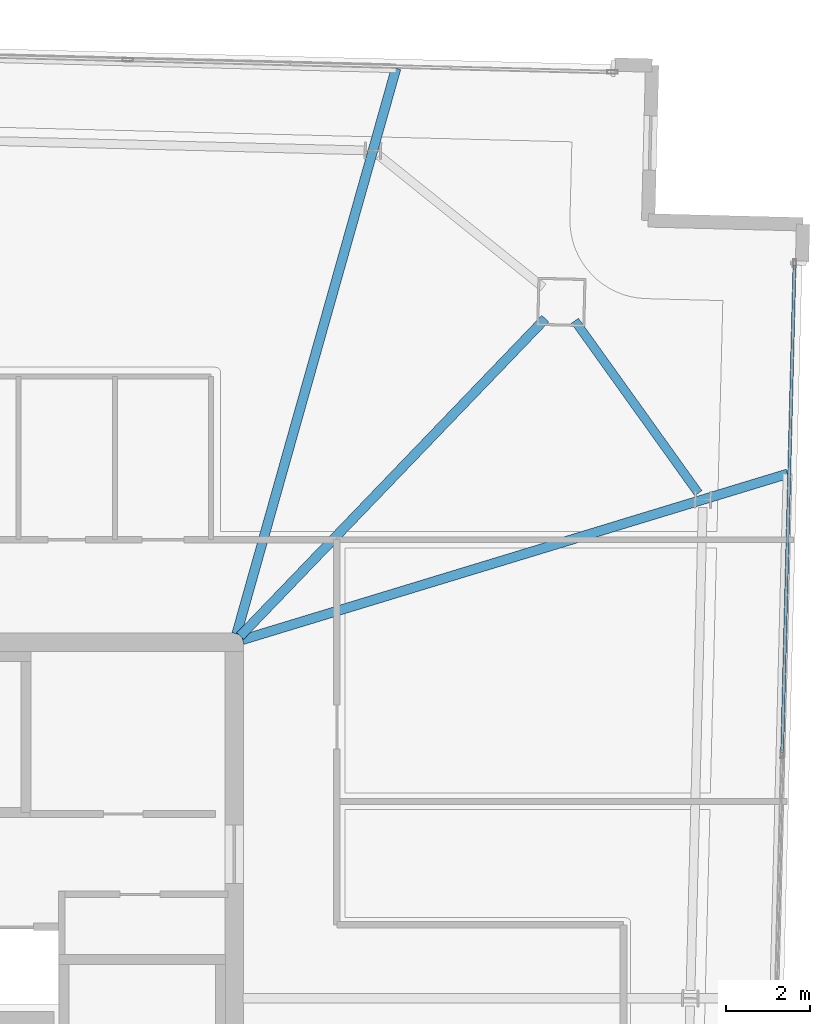
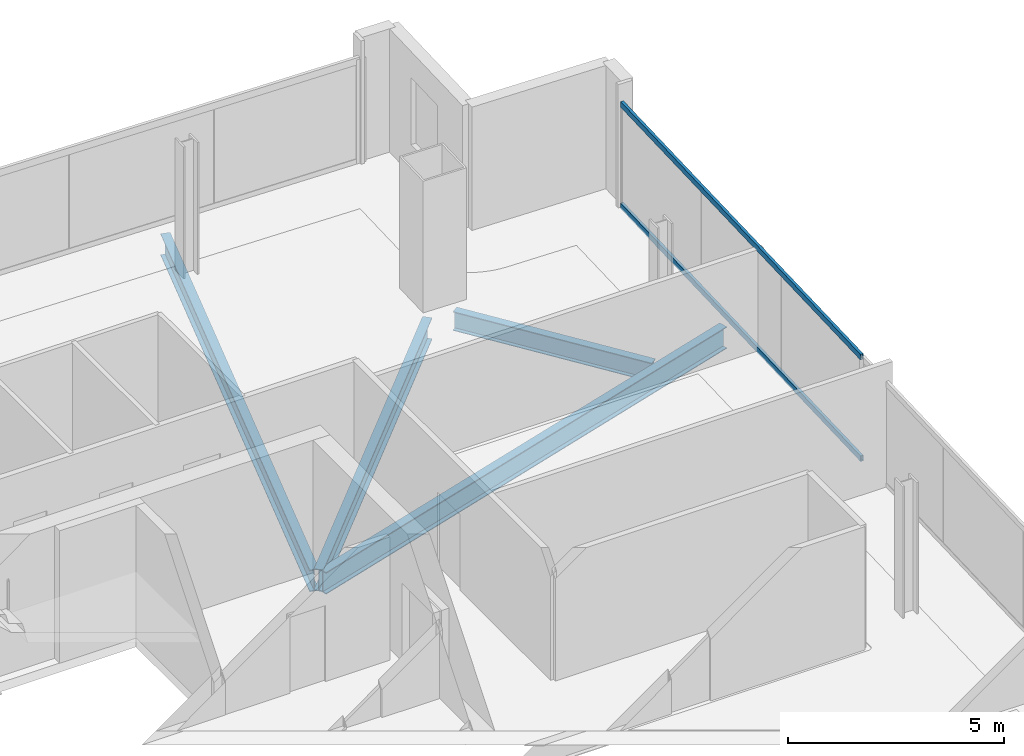
# One storey, part 16 of 25: 4 beams, 2 members, 1 element without a shape of its own.
"""IFC4 building model written with IfcOpenShell, lengths in metres."""

from ifc_helpers import new_model, si_unit, direction, frame, origin, origin_2d, place, context, subcontext, project, spatial, hollow_rectangle, i_section, extrude, material, material_profile, profile_set, type_object, element, aggregate, save


model = new_model("IFC4")

# Units and contexts
model_context = context("Model", 3, precision=1e-05, world=origin(), true_north=direction((0.0, 1.0)))
body_context = subcontext(model_context, "Body", "Model", "MODEL_VIEW")
ifc_project = project(units=[si_unit("LENGTHUNIT", "METRE"), si_unit("AREAUNIT", "SQUARE_METRE"), si_unit("VOLUMEUNIT", "CUBIC_METRE"), si_unit("PLANEANGLEUNIT", "RADIAN"), si_unit("MASSUNIT", "GRAM", prefix="KILO")], contexts=[model_context])

# Site, building, storey
site_placement = place(None, origin())
site = spatial("IfcSite", under=ifc_project, at=site_placement, CompositionType="ELEMENT")
building_placement = place(site_placement, origin())
building = spatial("IfcBuilding", under=site, at=building_placement, Name="Haldenkirk Collegiate Tower", CompositionType="ELEMENT")
storey_placement = place(building_placement, frame((0.0, 0.0, 325.199951171875)))
storey = spatial("IfcBuildingStorey", under=building, at=storey_placement, Name="L82", CompositionType="ELEMENT", Elevation=325.199951171875)

# Beams
ifc_material_1 = material(Name="Steel ASTM A992 Grade 50", Category="steel")
ifc_material_profile_1 = material_profile(ifc_material_1, i_section(OverallWidth=0.22998046875, OverallDepth=0.616943359375, WebThickness=0.01318359375, FlangeThickness=0.022216796875, at=origin_2d()), Name="W24X94")
ifc_profile_set_1 = profile_set([ifc_material_profile_1], Name="Steel ASTM A992 Grade 50")
beam_type_1 = type_object("IfcBeamType", Name="BM-GIRDER-W24X94", PredefinedType="BEAM", material=ifc_profile_set_1)
beam_1_placement = place(storey_placement, frame((52.428955078125, 41.7294921875, -0.568359375), z_axis=(-0.692944915375, -0.720990529935, 0.0), x_axis=(0.720990529935, -0.692944915375, 0.0)))
element("IfcBeam", 1, at=beam_1_placement, inside=storey, type_object=beam_type_1, Name="L82 primary floor girder 02", PredefinedType="BEAM", context=body_context, shape_type="SweptSolid", body=[
    extrude(i_section(OverallWidth=0.22998046875, OverallDepth=0.616943359375, WebThickness=0.01318359375, FlangeThickness=0.022216796875, at=origin_2d()), origin(), (0.0, 0.0, 1.0), 10.515869140625),
])
beam_2_placement = place(storey_placement, frame((58.21630859375, 38.02392578125, -0.568359375), z_axis=(-0.956644765395, -0.2912572623, 0.0), x_axis=(0.2912572623, -0.956644765395, 0.0)))
element("IfcBeam", 2, at=beam_2_placement, inside=storey, type_object=beam_type_1, Name="L82 primary floor girder 07", PredefinedType="BEAM", context=body_context, shape_type="SweptSolid", body=[
    extrude(i_section(OverallWidth=0.22998046875, OverallDepth=0.616943359375, WebThickness=0.01318359375, FlangeThickness=0.022216796875, at=origin_2d()), origin(), (0.0, 0.0, 1.0), 13.6103515625),
])
beam_3_placement = place(storey_placement, frame((48.8662109375, 47.71142578125, -0.568359375), z_axis=(-0.271385001657, -0.962470872741, 0.0), x_axis=(0.962470872741, -0.271385001657, 0.0)))
element("IfcBeam", 3, at=beam_3_placement, inside=storey, type_object=beam_type_1, Name="L82 primary floor girder 08", PredefinedType="BEAM", context=body_context, shape_type="SweptSolid", body=[
    extrude(i_section(OverallWidth=0.22998046875, OverallDepth=0.616943359375, WebThickness=0.01318359375, FlangeThickness=0.022216796875, at=origin_2d()), origin(), (0.0, 0.0, 1.0), 14.041015625),
])
ifc_material_profile_2 = material_profile(ifc_material_1, i_section(OverallWidth=0.2099609375, OverallDepth=0.537109375, WebThickness=0.010986328125, FlangeThickness=0.017333984375, at=origin_2d()), Name="W21X68")
ifc_profile_set_2 = profile_set([ifc_material_profile_2], Name="Steel ASTM A992 Grade 50")
beam_type_2 = type_object("IfcBeamType", Name="BM-SPANDREL-W21X68", PredefinedType="SPANDREL", material=ifc_profile_set_2)
beam_4_placement = place(storey_placement, frame((56.085693359375, 37.561279296875, -0.528564453125), z_axis=(-0.582300220922, 0.812973832737, 0.0), x_axis=(-0.812973832737, -0.582300220922, 0.0)))
element("IfcBeam", 4, at=beam_4_placement, inside=storey, type_object=beam_type_2, Name="L82 perimeter spandrel beam 04", PredefinedType="SPANDREL", context=body_context, shape_type="SweptSolid", body=[
    extrude(i_section(OverallWidth=0.2099609375, OverallDepth=0.537109375, WebThickness=0.010986328125, FlangeThickness=0.017333984375, at=origin_2d()), origin(), (0.0, 0.0, 1.0), 5.064453125),
])

# Curtain wall, members
ifc_material_2 = material(Name="Anodised architectural bronze aluminium", Category="aluminium")
curtain_wall_type = type_object("IfcCurtainWallType", Name="CW-SYS2-CONCAVE", PredefinedType="USERDEFINED", material=ifc_material_2)
curtain_wall_placement = place(storey_placement, origin())
curtain_wall = element("IfcCurtainWall", 5, at=curtain_wall_placement, inside=storey, type_object=curtain_wall_type, Name="L82 South concave recessed bronze-anodised curtain wall", ObjectType="UNITISED CURTAIN WALL", PredefinedType="USERDEFINED")
ifc_material_profile_3 = material_profile(ifc_material_2, hollow_rectangle(XDim=0.074951171875, YDim=0.159912109375, WallThickness=0.0048828125, at=origin_2d()), Name="CW-TRN-02")
ifc_profile_set_3 = profile_set([ifc_material_profile_3], Name="Anodised architectural bronze aluminium")
member_type = type_object("IfcMemberType", Name="CW-TRN-02", PredefinedType="USERDEFINED", material=ifc_profile_set_3)
member_1_placement = place(storey_placement, frame((58.3828125, 43.01416015625, 0.03759765625), z_axis=(-0.0253062266, -0.999679746166, 0.0), x_axis=(0.999679746166, -0.0253062266, 0.0)))
member_1 = element("IfcMember", 6, at=member_1_placement, type_object=member_type, Name="CW-02 transom 1.1", ObjectType="TRANSOM", PredefinedType="USERDEFINED", context=body_context, shape_type="SweptSolid", body=[
    extrude(hollow_rectangle(XDim=0.074951171875, YDim=0.159912109375, WallThickness=0.0048828125, at=origin_2d()), origin(), (0.0, 0.0, 1.0), 11.654052734375),
])
member_2_placement = place(storey_placement, frame((58.3828125, 43.01416015625, 2.91064453125), z_axis=(-0.0253062266, -0.999679746166, 0.0), x_axis=(0.999679746166, -0.0253062266, 0.0)))
member_2 = element("IfcMember", 7, at=member_2_placement, type_object=member_type, Name="CW-02 transom 1.2", ObjectType="TRANSOM", PredefinedType="USERDEFINED", context=body_context, shape_type="SweptSolid", body=[
    extrude(hollow_rectangle(XDim=0.074951171875, YDim=0.159912109375, WallThickness=0.0048828125, at=origin_2d()), origin(), (0.0, 0.0, 1.0), 11.654052734375),
])
aggregate(curtain_wall, [member_1, member_2])

save(model, "model.ifc")
